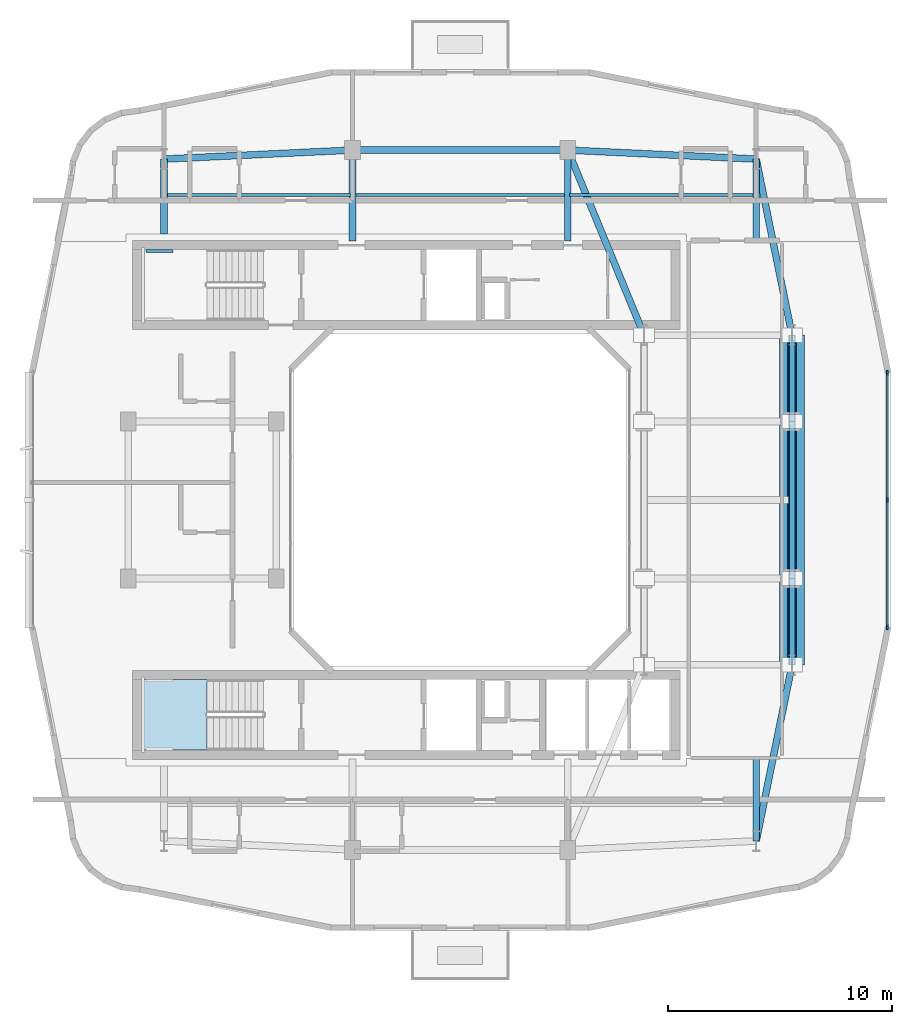
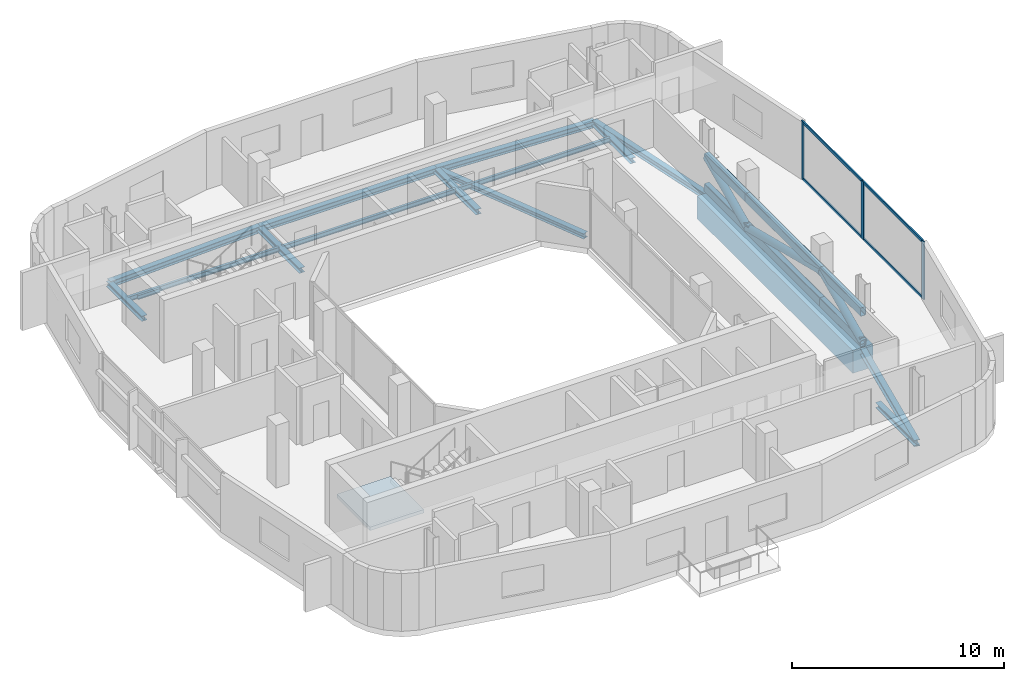
# One storey, part 4 of 13: 16 beams, 16 members, 1 slab, 2 elements without a shape of their own.
"""IFC4 building model written with IfcOpenShell, lengths in metres."""

from ifc_helpers import new_model, si_unit, derived_unit, direction, frame, origin, origin_2d, place, context, subcontext, project, spatial, polyline, rectangle, hollow_rectangle, hollow_circle, i_section, outline, extrude, material, layer, layer_set, material_profile, profile_set, type_object, element, aggregate, save


model = new_model("IFC4")

# Units and contexts
model_context = context("Model", 3, precision=1e-05, world=origin(), true_north=direction((0.0, 1.0)))
body_context = subcontext(model_context, "Body", "Model", "MODEL_VIEW")
ifc_project = project(units=[si_unit("LENGTHUNIT", "METRE"), si_unit("AREAUNIT", "SQUARE_METRE"), si_unit("VOLUMEUNIT", "CUBIC_METRE"), si_unit("PLANEANGLEUNIT", "RADIAN"), si_unit("MASSUNIT", "GRAM", prefix="KILO"), derived_unit("THERMALTRANSMITTANCEUNIT", [(si_unit("POWERUNIT", "WATT"), 1), (si_unit("LENGTHUNIT", "METRE"), -2), (si_unit("THERMODYNAMICTEMPERATUREUNIT", "KELVIN"), -1)])], contexts=[model_context])

# Site, building, storey
site_placement = place(None, origin())
site = spatial("IfcSite", under=ifc_project, at=site_placement, CompositionType="ELEMENT")
building_placement = place(site_placement, origin())
building = spatial("IfcBuilding", under=site, at=building_placement, Name="Kivonza Crest Hotel", CompositionType="ELEMENT")
storey_placement = place(building_placement, frame((0.0, 0.0, 199.10009765625)))
storey = spatial("IfcBuildingStorey", under=building, at=storey_placement, Name="L54", CompositionType="ELEMENT", Elevation=199.10009765625)

# Beams
ifc_material_1 = material(Name="Steel S355", Category="steel")
ifc_material_profile_1 = material_profile(ifc_material_1, i_section(OverallWidth=0.300048828125, OverallDepth=0.300048828125, WebThickness=0.010986328125, FlangeThickness=0.01904296875, FilletRadius=0.027099609375, at=origin_2d()), Name="HEB 300")
ifc_profile_set_1 = profile_set([ifc_material_profile_1], Name="Steel S355")
beam_type_1 = type_object("IfcBeamType", Name="BM-HEB300", PredefinedType="BEAM", material=ifc_profile_set_1)
beam_1_placement = place(storey_placement, frame((25.800048828125, 40.60009765625, -0.47021484375), z_axis=(0.381022260404, -0.924565864109, 0.0), x_axis=(0.924565864109, 0.381022260404, 0.0)))
element("IfcBeam", 1, at=beam_1_placement, inside=storey, type_object=beam_type_1, Name="Tower T1 L54 primary girder N1-TNE", PredefinedType="BEAM", context=body_context, shape_type="SweptSolid", body=[
    extrude(i_section(OverallWidth=0.300048828125, OverallDepth=0.300048828125, WebThickness=0.010986328125, FlangeThickness=0.01904296875, FilletRadius=0.027099609375, at=origin_2d()), origin(), (0.0, 0.0, 1.0), 8.923095703125),
])
beam_2_placement = place(storey_placement, frame((34.199951171875, 9.800048828125, -0.47021484375), z_axis=(0.0, 1.0, 0.0), x_axis=(-1.0, 0.0, 0.0)))
element("IfcBeam", 2, at=beam_2_placement, inside=storey, type_object=beam_type_1, Name="Tower T1 L54 radial core girder RSE", PredefinedType="BEAM", context=body_context, shape_type="SweptSolid", body=[
    extrude(i_section(OverallWidth=0.300048828125, OverallDepth=0.300048828125, WebThickness=0.010986328125, FlangeThickness=0.01904296875, FilletRadius=0.027099609375, at=origin_2d()), origin(), (0.0, 0.0, 1.0), 3.64990234375),
])
beam_3_placement = place(storey_placement, frame((7.800048828125, 40.199951171875, -0.47021484375), z_axis=(0.0, -1.0, 0.0), x_axis=(1.0, 0.0, 0.0)))
element("IfcBeam", 3, at=beam_3_placement, inside=storey, type_object=beam_type_1, Name="Tower T1 L54 radial core girder RNW", PredefinedType="BEAM", context=body_context, shape_type="SweptSolid", body=[
    extrude(i_section(OverallWidth=0.300048828125, OverallDepth=0.300048828125, WebThickness=0.010986328125, FlangeThickness=0.01904296875, FilletRadius=0.027099609375, at=origin_2d()), origin(), (0.0, 0.0, 1.0), 3.349853515625),
])
for number, where, z_axis, x_axis, name in (
    (4, (16.199951171875, 40.60009765625, -0.47021484375), (0.0, -1.0, 0.0), (1.0, 0.0, 0.0), "Tower T1 L54 radial core girder RN1"),
    (5, (25.800048828125, 40.60009765625, -0.47021484375), (0.0, -1.0, 0.0), (1.0, 0.0, 0.0), "Tower T1 L54 radial core girder RN2"),
):
    element("IfcBeam", number, at=place(storey_placement, frame(where, z_axis=z_axis, x_axis=x_axis)), inside=storey, type_object=beam_type_1, Name=name, PredefinedType="BEAM", context=body_context, shape_type="SweptSolid", body=[
        extrude(i_section(OverallWidth=0.300048828125, OverallDepth=0.300048828125, WebThickness=0.010986328125, FlangeThickness=0.01904296875, FilletRadius=0.027099609375, at=origin_2d()), origin(), (0.0, 0.0, 1.0), 4.050048828125),
    ])
beam_4_placement = place(storey_placement, frame((34.199951171875, 40.199951171875, -0.47021484375), z_axis=(0.0, -1.0, 0.0), x_axis=(1.0, 0.0, 0.0)))
element("IfcBeam", 6, at=beam_4_placement, inside=storey, type_object=beam_type_1, Name="Tower T1 L54 radial core girder RNE", PredefinedType="BEAM", context=body_context, shape_type="SweptSolid", body=[
    extrude(i_section(OverallWidth=0.300048828125, OverallDepth=0.300048828125, WebThickness=0.010986328125, FlangeThickness=0.01904296875, FilletRadius=0.027099609375, at=origin_2d()), origin(), (0.0, 0.0, 1.0), 3.64990234375),
])
ifc_material_profile_2 = material_profile(ifc_material_1, i_section(OverallWidth=0.300048828125, OverallDepth=0.360107421875, WebThickness=0.012451171875, FlangeThickness=0.0224609375, FilletRadius=0.027099609375, at=origin_2d()), Name="HEB 360")
ifc_profile_set_2 = profile_set([ifc_material_profile_2], Name="Steel S355")
beam_type_2 = type_object("IfcBeamType", Name="BM-HEB360", PredefinedType="SPANDREL", material=ifc_profile_set_2)
for number, where, z_axis, x_axis, name in (
    (7, (34.199951171875, 9.800048828125, -0.5), (0.199730733965, 0.979850822273, 0.0), (-0.979850822273, 0.199730733965, 0.0), "Tower T1 L54 perimeter spandrel SE-PSE"),
    (8, (35.800048828125, 32.35009765625, -0.5), (-0.199730733965, 0.979850822273, 0.0), (-0.979850822273, -0.199730733965, 0.0), "Tower T1 L54 perimeter spandrel PNE-NE"),
):
    element("IfcBeam", number, at=place(storey_placement, frame(where, z_axis=z_axis, x_axis=x_axis)), inside=storey, type_object=beam_type_2, Name=name, PredefinedType="SPANDREL", context=body_context, shape_type="SweptSolid", body=[
        extrude(i_section(OverallWidth=0.300048828125, OverallDepth=0.360107421875, WebThickness=0.012451171875, FlangeThickness=0.0224609375, FilletRadius=0.027099609375, at=origin_2d()), origin(), (0.0, 0.0, 1.0), 8.01123046875),
    ])
beam_5_placement = place(storey_placement, frame((34.199951171875, 40.199951171875, -0.5), z_axis=(-0.998867283688, 0.047583080799, 0.0), x_axis=(-0.047583080799, -0.998867283688, 0.0)))
element("IfcBeam", 9, at=beam_5_placement, inside=storey, type_object=beam_type_2, Name="Tower T1 L54 perimeter spandrel NE-N2", PredefinedType="SPANDREL", context=body_context, shape_type="SweptSolid", body=[
    extrude(i_section(OverallWidth=0.300048828125, OverallDepth=0.360107421875, WebThickness=0.012451171875, FlangeThickness=0.0224609375, FilletRadius=0.027099609375, at=origin_2d()), origin(), (0.0, 0.0, 1.0), 8.409423828125),
])
beam_6_placement = place(storey_placement, frame((25.800048828125, 40.60009765625, -0.5), z_axis=(-1.0, 0.0, 0.0), x_axis=(0.0, -1.0, 0.0)))
element("IfcBeam", 10, at=beam_6_placement, inside=storey, type_object=beam_type_2, Name="Tower T1 L54 perimeter spandrel N2-N1", PredefinedType="SPANDREL", context=body_context, shape_type="SweptSolid", body=[
    extrude(i_section(OverallWidth=0.300048828125, OverallDepth=0.360107421875, WebThickness=0.012451171875, FlangeThickness=0.0224609375, FilletRadius=0.027099609375, at=origin_2d()), origin(), (0.0, 0.0, 1.0), 9.60009765625),
])
beam_7_placement = place(storey_placement, frame((16.199951171875, 40.60009765625, -0.5), z_axis=(-0.998867283688, -0.047583080799, 0.0), x_axis=(0.047583080799, -0.998867283688, 0.0)))
element("IfcBeam", 11, at=beam_7_placement, inside=storey, type_object=beam_type_2, Name="Tower T1 L54 perimeter spandrel N1-NW", PredefinedType="SPANDREL", context=body_context, shape_type="SweptSolid", body=[
    extrude(i_section(OverallWidth=0.300048828125, OverallDepth=0.360107421875, WebThickness=0.012451171875, FlangeThickness=0.0224609375, FilletRadius=0.027099609375, at=origin_2d()), origin(), (0.0, 0.0, 1.0), 8.409423828125),
])
ifc_material_profile_3 = material_profile(ifc_material_1, i_section(OverallWidth=0.135009765625, OverallDepth=0.27001953125, WebThickness=0.006591796875, FlangeThickness=0.01025390625, FilletRadius=0.014892578125, at=origin_2d()), Name="IPE 270")
ifc_profile_set_3 = profile_set([ifc_material_profile_3], Name="Steel S355")
beam_type_3 = type_object("IfcBeamType", Name="BM-IPE270", PredefinedType="JOIST", material=ifc_profile_set_3)
beam_8_placement = place(storey_placement, frame((7.8798828125, 38.60009765625, -0.455078125), z_axis=(1.0, 0.0, 0.0), x_axis=(0.0, 1.0, 0.0)))
element("IfcBeam", 12, at=beam_8_placement, inside=storey, type_object=beam_type_3, Name="Tower T1 L54 North-West floor joist", PredefinedType="JOIST", context=body_context, shape_type="SweptSolid", body=[
    extrude(i_section(OverallWidth=0.135009765625, OverallDepth=0.27001953125, WebThickness=0.006591796875, FlangeThickness=0.01025390625, FilletRadius=0.014892578125, at=origin_2d()), origin(), (0.0, 0.0, 1.0), 8.240234375),
])
beam_9_placement = place(storey_placement, frame((16.280029296875, 38.60009765625, -0.455078125), z_axis=(1.0, 0.0, 0.0), x_axis=(0.0, 1.0, 0.0)))
element("IfcBeam", 13, at=beam_9_placement, inside=storey, type_object=beam_type_3, Name="Tower T1 L54 North-Mid floor joist", PredefinedType="JOIST", context=body_context, shape_type="SweptSolid", body=[
    extrude(i_section(OverallWidth=0.135009765625, OverallDepth=0.27001953125, WebThickness=0.006591796875, FlangeThickness=0.01025390625, FilletRadius=0.014892578125, at=origin_2d()), origin(), (0.0, 0.0, 1.0), 9.43994140625),
])
beam_10_placement = place(storey_placement, frame((25.8798828125, 38.60009765625, -0.455078125), z_axis=(1.0, 0.0, 0.0), x_axis=(0.0, 1.0, 0.0)))
element("IfcBeam", 14, at=beam_10_placement, inside=storey, type_object=beam_type_3, Name="Tower T1 L54 North-East floor joist", PredefinedType="JOIST", context=body_context, shape_type="SweptSolid", body=[
    extrude(i_section(OverallWidth=0.135009765625, OverallDepth=0.27001953125, WebThickness=0.006591796875, FlangeThickness=0.01025390625, FilletRadius=0.014892578125, at=origin_2d()), origin(), (0.0, 0.0, 1.0), 8.240234375),
])
ifc_material_profile_4 = material_profile(ifc_material_1, i_section(OverallWidth=0.1201171875, OverallDepth=0.239990234375, WebThickness=0.006103515625, FlangeThickness=0.009765625, FilletRadius=0.014892578125, at=origin_2d()), Name="IPE 240")
ifc_profile_set_4 = profile_set([ifc_material_profile_4], Name="Steel S355")
beam_type_4 = type_object("IfcBeamType", Name="BM-LLDG-240", PredefinedType="BEAM", material=ifc_profile_set_4)
beam_11_placement = place(storey_placement, frame((6.989990234375, 36.10009765625, 1.47998046875), z_axis=(1.0, 0.0, 0.0), x_axis=(0.0, 1.0, 0.0)))
element("IfcBeam", 15, at=beam_11_placement, inside=storey, type_object=beam_type_4, Name="Stair ST-T1-N L54 North landing corbel", PredefinedType="BEAM", context=body_context, shape_type="SweptSolid", body=[
    extrude(i_section(OverallWidth=0.1201171875, OverallDepth=0.239990234375, WebThickness=0.006103515625, FlangeThickness=0.009765625, FilletRadius=0.014892578125, at=origin_2d()), origin(), (0.0, 0.0, 1.0), 1.2099609375),
])
ifc_material_2 = material(Name="Concrete C60/75", Category="concrete")
ifc_material_profile_5 = material_profile(ifc_material_2, rectangle(XDim=1.10009765625, YDim=1.300048828125, at=origin_2d()), Name="RC 1300x1100")
ifc_profile_set_5 = profile_set([ifc_material_profile_5], Name="Concrete C60/75")
beam_type_5 = type_object("IfcBeamType", Name="BM-RC-TRF-1300", PredefinedType="BEAM", material=ifc_profile_set_5)
beam_12_placement = place(storey_placement, frame((35.800048828125, 17.64990234375, -0.97021484375), z_axis=(0.0, 1.0, 0.0), x_axis=(-1.0, 0.0, 0.0)))
element("IfcBeam", 16, at=beam_12_placement, inside=storey, type_object=beam_type_5, Name="Transfer truss primary header girder L54 East portal line", PredefinedType="BEAM", context=body_context, shape_type="SweptSolid", body=[
    extrude(rectangle(XDim=1.10009765625, YDim=1.300048828125, at=origin_2d()), origin(), (0.0, 0.0, 1.0), 14.7001953125),
])

# Curtain wall, members
ifc_material_3 = material(Name="Anodised bronze aluminium and low-E double glazing", Category="aluminium")
ifc_layer_1 = layer(ifc_material_3, 0.179931640625)
ifc_layer_set_1 = layer_set([ifc_layer_1], Name="Anodised bronze aluminium and low-E double glazing")
curtain_wall_type = type_object("IfcCurtainWallType", Name="CW-SYS-3", PredefinedType="NOTDEFINED", material=ifc_layer_set_1)
curtain_wall_placement = place(storey_placement, origin())
curtain_wall = element("IfcCurtainWall", 17, at=curtain_wall_placement, inside=storey, type_object=curtain_wall_type, Name="L54 unitised curtain wall CW-T1-L54-17", PredefinedType="NOTDEFINED")
ifc_material_4 = material(Name="Anodised bronze aluminium", Category="aluminium")
ifc_material_profile_6 = material_profile(ifc_material_4, rectangle(XDim=0.074951171875, YDim=0.219970703125, at=origin_2d()), Name="CW-M 75x220")
ifc_profile_set_6 = profile_set([ifc_material_profile_6], Name="Anodised bronze aluminium")
member_type_1 = type_object("IfcMemberType", Name="CW-MUL-75x220", PredefinedType="MULLION", material=ifc_profile_set_6)
member_1_placement = place(storey_placement, frame((40.0400390625, 19.3173828125, 0.0), z_axis=(0.0, 0.0, 1.0), x_axis=(-1.0, 0.0, 0.0)))
member_1 = element("IfcMember", 18, at=member_1_placement, type_object=member_type_1, Name="CW-3 mullion 1", PredefinedType="MULLION", context=body_context, shape_type="SweptSolid", body=[
    extrude(rectangle(XDim=0.074951171875, YDim=0.219970703125, at=origin_2d()), origin(), (0.0, 0.0, 1.0), 3.31982421875),
])
member_2_placement = place(storey_placement, frame((40.0400390625, 25.0, 0.0), z_axis=(0.0, 0.0, 1.0), x_axis=(-1.0, 0.0, 0.0)))
member_2 = element("IfcMember", 19, at=member_2_placement, type_object=member_type_1, Name="CW-3 mullion 2", PredefinedType="MULLION", context=body_context, shape_type="SweptSolid", body=[
    extrude(rectangle(XDim=0.074951171875, YDim=0.219970703125, at=origin_2d()), origin(), (0.0, 0.0, 1.0), 3.31982421875),
])
member_3_placement = place(storey_placement, frame((40.0400390625, 30.6826171875, 0.0), z_axis=(0.0, 0.0, 1.0), x_axis=(-1.0, 0.0, 0.0)))
member_3 = element("IfcMember", 20, at=member_3_placement, type_object=member_type_1, Name="CW-3 mullion 3", PredefinedType="MULLION", context=body_context, shape_type="SweptSolid", body=[
    extrude(rectangle(XDim=0.074951171875, YDim=0.219970703125, at=origin_2d()), origin(), (0.0, 0.0, 1.0), 3.31982421875),
])
ifc_material_profile_7 = material_profile(ifc_material_4, rectangle(XDim=0.074951171875, YDim=0.159912109375, at=origin_2d()), Name="CW-T 75x160")
ifc_profile_set_7 = profile_set([ifc_material_profile_7], Name="Anodised bronze aluminium")
member_type_2 = type_object("IfcMemberType", Name="CW-TRN-75x160", PredefinedType="USERDEFINED", material=ifc_profile_set_7)
member_4_placement = place(storey_placement, frame((40.0400390625, 19.35498046875, 0.037353515625), z_axis=(0.0, 1.0, 0.0), x_axis=(-1.0, 0.0, 0.0)))
member_4 = element("IfcMember", 21, at=member_4_placement, type_object=member_type_2, Name="CW-3 transom 1.1", ObjectType="TRANSOM", PredefinedType="USERDEFINED", context=body_context, shape_type="SweptSolid", body=[
    extrude(rectangle(XDim=0.074951171875, YDim=0.159912109375, at=origin_2d()), origin(), (0.0, 0.0, 1.0), 5.607421875),
])
member_5_placement = place(storey_placement, frame((40.0400390625, 19.35498046875, 3.282470703125), z_axis=(0.0, 1.0, 0.0), x_axis=(-1.0, 0.0, 0.0)))
member_5 = element("IfcMember", 22, at=member_5_placement, type_object=member_type_2, Name="CW-3 transom 1.2", ObjectType="TRANSOM", PredefinedType="USERDEFINED", context=body_context, shape_type="SweptSolid", body=[
    extrude(rectangle(XDim=0.074951171875, YDim=0.159912109375, at=origin_2d()), origin(), (0.0, 0.0, 1.0), 5.607421875),
])
member_6_placement = place(storey_placement, frame((40.0400390625, 25.03759765625, 0.037353515625), z_axis=(0.0, 1.0, 0.0), x_axis=(-1.0, 0.0, 0.0)))
member_6 = element("IfcMember", 23, at=member_6_placement, type_object=member_type_2, Name="CW-3 transom 2.1", ObjectType="TRANSOM", PredefinedType="USERDEFINED", context=body_context, shape_type="SweptSolid", body=[
    extrude(rectangle(XDim=0.074951171875, YDim=0.159912109375, at=origin_2d()), origin(), (0.0, 0.0, 1.0), 5.607421875),
])
member_7_placement = place(storey_placement, frame((40.0400390625, 25.03759765625, 3.282470703125), z_axis=(0.0, 1.0, 0.0), x_axis=(-1.0, 0.0, 0.0)))
member_7 = element("IfcMember", 24, at=member_7_placement, type_object=member_type_2, Name="CW-3 transom 2.2", ObjectType="TRANSOM", PredefinedType="USERDEFINED", context=body_context, shape_type="SweptSolid", body=[
    extrude(rectangle(XDim=0.074951171875, YDim=0.159912109375, at=origin_2d()), origin(), (0.0, 0.0, 1.0), 5.607421875),
])
aggregate(curtain_wall, [member_1, member_2, member_3, member_4, member_5, member_6, member_7])

# Members
ifc_material_profile_8 = material_profile(ifc_material_1, hollow_circle(Radius=0.203125, WallThickness=0.02001953125, at=origin_2d()), Name="CHS 406.4x20")
ifc_profile_set_8 = profile_set([ifc_material_profile_8], Name="Steel S355")
member_type_3 = type_object("IfcMemberType", Name="MB-BRACE-CHS406", PredefinedType="BRACE", material=ifc_profile_set_8)
member_8_placement = place(storey_placement, frame((35.800048828125, 17.64990234375, 0.0), z_axis=(0.0, 0.910370431393, 0.413794245544), x_axis=(-1.0, 0.0, 0.0)))
element("IfcMember", 25, at=member_8_placement, inside=storey, type_object=member_type_3, Name="Transfer truss L54 portal header OUT diagonal brace 1", PredefinedType="BRACE", context=body_context, shape_type="SweptSolid", body=[
    extrude(hollow_circle(Radius=0.203125, WallThickness=0.02001953125, at=origin_2d()), origin(), (0.0, 0.0, 1.0), 4.229248046875),
])
member_9_placement = place(storey_placement, frame((35.800048828125, 21.5, 1.75), z_axis=(0.0, 0.970142500145, -0.242535625036), x_axis=(-1.0, 0.0, 0.0)))
element("IfcMember", 26, at=member_9_placement, inside=storey, type_object=member_type_3, Name="Transfer truss L54 portal header OUT diagonal brace 2", PredefinedType="BRACE", context=body_context, shape_type="SweptSolid", body=[
    extrude(hollow_circle(Radius=0.203125, WallThickness=0.02001953125, at=origin_2d()), origin(), (0.0, 0.0, 1.0), 7.21533203125),
])
member_10_placement = place(storey_placement, frame((35.800048828125, 28.5, 0.0), z_axis=(0.0, 0.910370431393, 0.413794245544), x_axis=(-1.0, 0.0, 0.0)))
element("IfcMember", 27, at=member_10_placement, inside=storey, type_object=member_type_3, Name="Transfer truss L54 portal header OUT diagonal brace 3", PredefinedType="BRACE", context=body_context, shape_type="SweptSolid", body=[
    extrude(hollow_circle(Radius=0.203125, WallThickness=0.02001953125, at=origin_2d()), origin(), (0.0, 0.0, 1.0), 4.229248046875),
])
ifc_material_profile_9 = material_profile(ifc_material_1, hollow_rectangle(XDim=0.300048828125, YDim=0.5, WallThickness=0.02001953125, InnerFilletRadius=0.030029296875, OuterFilletRadius=0.050048828125, at=origin_2d()), Name="RHS 500x300x20")
ifc_profile_set_9 = profile_set([ifc_material_profile_9], Name="Steel S355")
member_type_4 = type_object("IfcMemberType", Name="MB-CHORD-RHS500", PredefinedType="CHORD", material=ifc_profile_set_9)
for number, where, z_axis, x_axis, name in (
    (28, (35.800048828125, 17.64990234375, 0.0), (0.0, 1.0, 0.0), (-1.0, 0.0, 0.0), "Transfer truss L54 portal header OUT bottom chord 1"),
    (29, (35.800048828125, 17.64990234375, 1.75), (0.0, 1.0, 0.0), (-1.0, 0.0, 0.0), "Transfer truss L54 portal header OUT top chord 1"),
):
    element("IfcMember", number, at=place(storey_placement, frame(where, z_axis=z_axis, x_axis=x_axis)), inside=storey, type_object=member_type_4, Name=name, PredefinedType="CHORD", context=body_context, shape_type="SweptSolid", body=[
        extrude(hollow_rectangle(XDim=0.300048828125, YDim=0.5, WallThickness=0.02001953125, InnerFilletRadius=0.030029296875, OuterFilletRadius=0.050048828125, at=origin_2d()), origin(), (0.0, 0.0, 1.0), 3.85009765625),
    ])
for number, where, z_axis, x_axis, name in (
    (30, (35.800048828125, 21.5, 0.0), (0.0, 1.0, 0.0), (-1.0, 0.0, 0.0), "Transfer truss L54 portal header OUT bottom chord 2"),
    (31, (35.800048828125, 21.5, 1.75), (0.0, 1.0, 0.0), (-1.0, 0.0, 0.0), "Transfer truss L54 portal header OUT top chord 2"),
):
    element("IfcMember", number, at=place(storey_placement, frame(where, z_axis=z_axis, x_axis=x_axis)), inside=storey, type_object=member_type_4, Name=name, PredefinedType="CHORD", context=body_context, shape_type="SweptSolid", body=[
        extrude(hollow_rectangle(XDim=0.300048828125, YDim=0.5, WallThickness=0.02001953125, InnerFilletRadius=0.030029296875, OuterFilletRadius=0.050048828125, at=origin_2d()), origin(), (0.0, 0.0, 1.0), 7.0),
    ])
for number, where, z_axis, x_axis, name in (
    (32, (35.800048828125, 28.5, 0.0), (0.0, 1.0, 0.0), (-1.0, 0.0, 0.0), "Transfer truss L54 portal header OUT bottom chord 3"),
    (33, (35.800048828125, 28.5, 1.75), (0.0, 1.0, 0.0), (-1.0, 0.0, 0.0), "Transfer truss L54 portal header OUT top chord 3"),
):
    element("IfcMember", number, at=place(storey_placement, frame(where, z_axis=z_axis, x_axis=x_axis)), inside=storey, type_object=member_type_4, Name=name, PredefinedType="CHORD", context=body_context, shape_type="SweptSolid", body=[
        extrude(hollow_rectangle(XDim=0.300048828125, YDim=0.5, WallThickness=0.02001953125, InnerFilletRadius=0.030029296875, OuterFilletRadius=0.050048828125, at=origin_2d()), origin(), (0.0, 0.0, 1.0), 3.85009765625),
    ])

# Stair, slab
ifc_material_5 = material(Name="Concrete C40/50", Category="concrete")
stair_type = type_object("IfcStairType", Name="ST-DL-20R", PredefinedType="HALF_TURN_STAIR", material=ifc_material_5)
stair_placement = place(storey_placement, origin())
stair = element("IfcStair", 34, at=stair_placement, inside=storey, type_object=stair_type, Name="L54 Protected Exit Stair ST-T1-S", PredefinedType="HALF_TURN_STAIR")
ifc_layer_2 = layer(ifc_material_5, 0.199951171875)
ifc_layer_set_2 = layer_set([ifc_layer_2], Name="Concrete C40/50")
slab_type = type_object("IfcSlabType", Name="SL-LAND-200", PredefinedType="LANDING", material=ifc_layer_set_2)
slab_placement = place(storey_placement, frame((0.0, 0.0, 1.599853515625)))
slab = element("IfcSlab", 35, at=slab_placement, type_object=slab_type, Name="ST-T1-S landing 1", PredefinedType="LANDING", context=body_context, shape_type="SweptSolid", body=[
    extrude(outline(polyline([(9.719970703125, 17.0), (6.800048828125, 17.0), (6.800048828125, 13.860107421875), (9.719970703125, 13.860107421875), (9.719970703125, 17.0)])), origin(), (0.0, 0.0, 1.0), 0.199951171875),
])
aggregate(stair, [slab])

save(model, "model.ifc")
